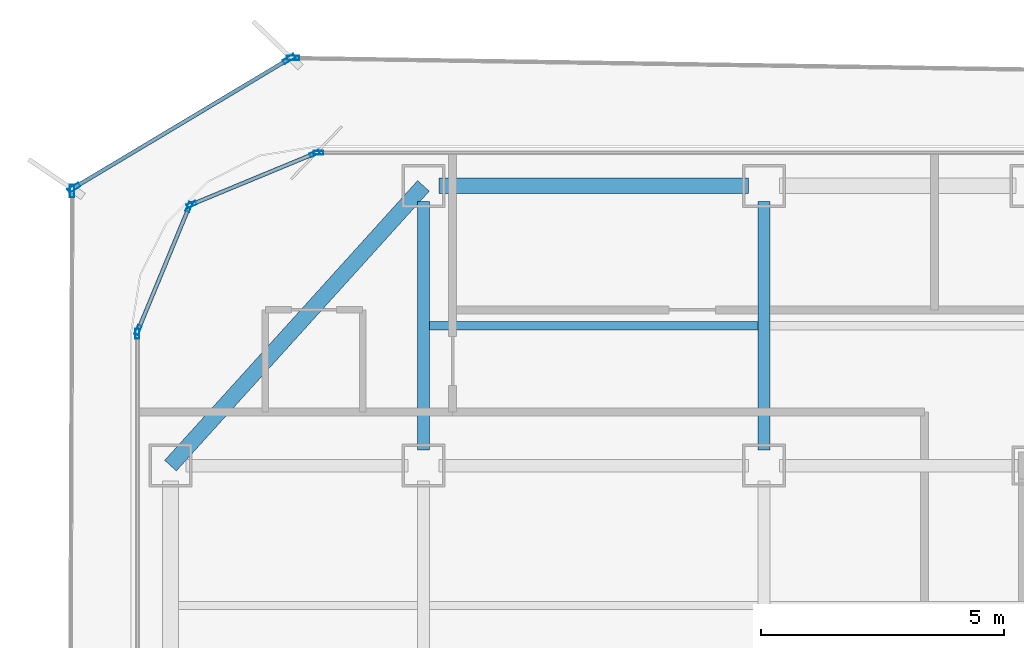
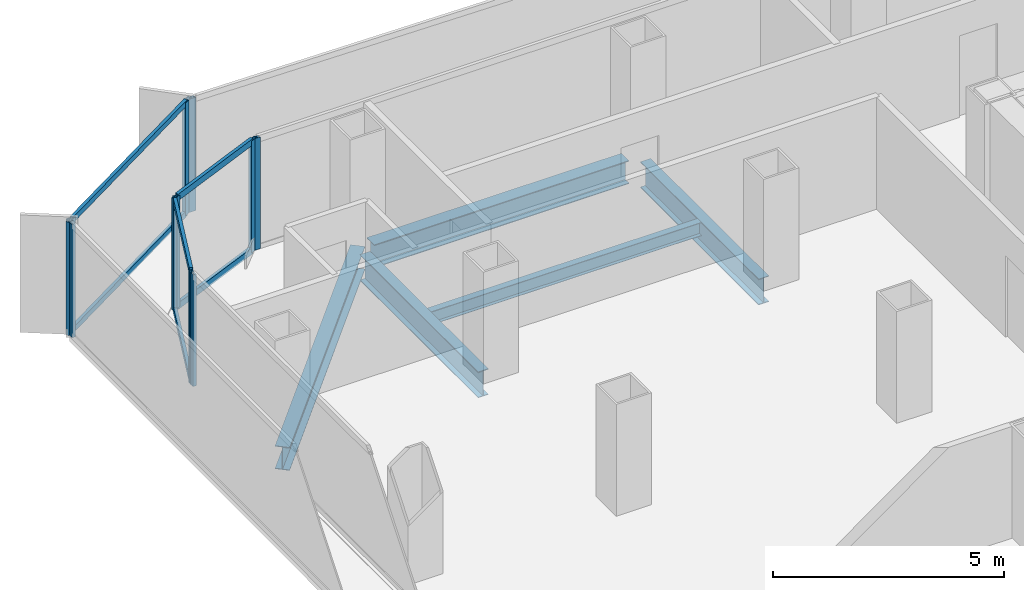
# One storey, part 10 of 21: 16 members, 5 beams, 7 elements without a shape of their own.
"""IFC4 building model written with IfcOpenShell, lengths in metres."""

from ifc_helpers import new_model, si_unit, direction, frame, origin, origin_2d, place, context, subcontext, project, spatial, hollow_rectangle, i_section, extrude, source, transform, mapped, material, layer, layer_set, material_profile, profile_set, type_object, element, aggregate, save


model = new_model("IFC4")

# Units and contexts
model_context = context("Model", 3, precision=1e-05, world=origin(), true_north=direction((0.0, 1.0)))
body_context = subcontext(model_context, "Body", "Model", "MODEL_VIEW")
ifc_project = project(units=[si_unit("LENGTHUNIT", "METRE"), si_unit("AREAUNIT", "SQUARE_METRE"), si_unit("VOLUMEUNIT", "CUBIC_METRE"), si_unit("PLANEANGLEUNIT", "RADIAN"), si_unit("MASSUNIT", "GRAM", prefix="KILO")], contexts=[model_context])

# Site, building, storey
site_placement = place(None, origin())
site = spatial("IfcSite", under=ifc_project, at=site_placement, CompositionType="ELEMENT")
building_placement = place(site_placement, origin())
building = spatial("IfcBuilding", under=site, at=building_placement, Name="Kolveth Station Tower", CompositionType="ELEMENT")
storey_placement = place(building_placement, frame((0.0, 0.0, 134.300048828125)))
storey = spatial("IfcBuildingStorey", under=building, at=storey_placement, Name="L37", CompositionType="ELEMENT", Elevation=134.300048828125)

# Beams
ifc_material_1 = material(Name="Steel S355", Category="steel")
ifc_material_profile_1 = material_profile(ifc_material_1, i_section(OverallWidth=0.323974609375, OverallDepth=0.611083984375, WebThickness=0.0126953125, FlangeThickness=0.01904296875, at=origin_2d()), Name="W610x155")
ifc_profile_set_1 = profile_set([ifc_material_profile_1], Name="Steel S355")
beam_type_1 = type_object("IfcBeamType", Name="Beam_SP2", PredefinedType="SPANDREL", material=ifc_profile_set_1)
shared_shape_1 = source(origin(), body_context, "Body", "SweptSolid", [
    extrude(i_section(OverallWidth=0.323974609375, OverallDepth=0.611083984375, WebThickness=0.0126953125, FlangeThickness=0.01904296875, at=origin_2d()), origin(), (0.0, 0.0, 1.0), 6.35986328125),
])
beam_1_placement = place(storey_placement, frame((6.320068359375, 34.5, -0.5556640625), z_axis=(1.0, 0.0, 0.0), x_axis=(0.0, 1.0, 0.0)))
element("IfcBeam", 1, at=beam_1_placement, inside=storey, type_object=beam_type_1, Name="L37 Perimeter Spandrel BM-L37-PN-1", PredefinedType="SPANDREL", context=body_context, shape_type="MappedRepresentation", body=[
    mapped(shared_shape_1, transform((0.0, 0.0, 0.0), x_axis=(1.0, 0.0, 0.0), y_axis=(0.0, 1.0, 0.0), z_axis=(0.0, 0.0, 1.0), scale=1.0)),
])
shared_shape_2 = source(origin(), body_context, "Body", "SweptSolid", [
    extrude(i_section(OverallWidth=0.323974609375, OverallDepth=0.611083984375, WebThickness=0.0126953125, FlangeThickness=0.01904296875, at=origin_2d()), origin(), (0.0, 0.0, 1.0), 7.75244140625),
])
beam_2_placement = place(storey_placement, frame((6.0, 34.5, -0.5556640625), z_axis=(-0.670740965555, -0.74169168603, 0.0), x_axis=(0.74169168603, -0.670740965555, 0.0)))
element("IfcBeam", 2, at=beam_2_placement, inside=storey, type_object=beam_type_1, Name="L37 Corner Edge Girder BM-L37-CNR-NW", PredefinedType="SPANDREL", context=body_context, shape_type="MappedRepresentation", body=[
    mapped(shared_shape_2, transform((0.0, 0.0, 0.0), x_axis=(1.0, 0.0, 0.0), y_axis=(0.0, 1.0, 0.0), z_axis=(0.0, 0.0, 1.0), scale=1.0)),
])
ifc_material_profile_2 = material_profile(ifc_material_1, i_section(OverallWidth=0.25390625, OverallDepth=0.68798828125, WebThickness=0.01318359375, FlangeThickness=0.02099609375, at=origin_2d()), Name="W690x152")
ifc_profile_set_2 = profile_set([ifc_material_profile_2], Name="Steel S355")
beam_type_2 = type_object("IfcBeamType", Name="Beam_B4", PredefinedType="BEAM", material=ifc_profile_set_2)
shared_shape_3 = source(origin(), body_context, "Body", "SweptSolid", [
    extrude(i_section(OverallWidth=0.25390625, OverallDepth=0.68798828125, WebThickness=0.01318359375, FlangeThickness=0.02099609375, at=origin_2d()), origin(), (0.0, 0.0, 1.0), 5.10986328125),
])
for number, where, z_axis, x_axis, name in (
    (3, (6.0, 29.070068359375, -0.593994140625), (0.0, 1.0, 0.0), (-1.0, 0.0, 0.0), "L37 Primary Girder BM-L37-GX60-6"),
    (4, (13.0, 29.070068359375, -0.593994140625), (0.0, 1.0, 0.0), (-1.0, 0.0, 0.0), "L37 Primary Girder BM-L37-GX130-6"),
):
    element("IfcBeam", number, at=place(storey_placement, frame(where, z_axis=z_axis, x_axis=x_axis)), inside=storey, type_object=beam_type_2, Name=name, PredefinedType="BEAM", context=body_context, shape_type="MappedRepresentation", body=[
        mapped(shared_shape_3, transform((0.0, 0.0, 0.0), x_axis=(1.0, 0.0, 0.0), y_axis=(0.0, 1.0, 0.0), z_axis=(0.0, 0.0, 1.0), scale=1.0)),
    ])
ifc_material_profile_3 = material_profile(ifc_material_1, i_section(OverallWidth=0.1708984375, OverallDepth=0.35205078125, WebThickness=0.0068359375, FlangeThickness=0.009765625, at=origin_2d()), Name="W360x44")
ifc_profile_set_3 = profile_set([ifc_material_profile_3], Name="Steel S355")
beam_type_3 = type_object("IfcBeamType", Name="Beam_J2", PredefinedType="JOIST", material=ifc_profile_set_3)
shared_shape_4 = source(origin(), body_context, "Body", "SweptSolid", [
    extrude(i_section(OverallWidth=0.1708984375, OverallDepth=0.35205078125, WebThickness=0.0068359375, FlangeThickness=0.009765625, at=origin_2d()), origin(), (0.0, 0.0, 1.0), 6.75),
])
beam_3_placement = place(storey_placement, frame((6.125, 31.625, -0.426025390625), z_axis=(1.0, 0.0, 0.0), x_axis=(0.0, 1.0, 0.0)))
element("IfcBeam", 5, at=beam_3_placement, inside=storey, type_object=beam_type_3, Name="L37 Secondary Joist JST-L37-2-6", PredefinedType="JOIST", context=body_context, shape_type="MappedRepresentation", body=[
    mapped(shared_shape_4, transform((0.0, 0.0, 0.0), x_axis=(1.0, 0.0, 0.0), y_axis=(0.0, 1.0, 0.0), z_axis=(0.0, 0.0, 1.0), scale=1.0)),
])

# Curtain wall, member
ifc_material_2 = material(Name="Aluminium 6063-T6 and low-E dark glass", Category="aluminium")
ifc_layer_1 = layer(ifc_material_2, 0.18994140625)
ifc_layer_set_1 = layer_set([ifc_layer_1], Name="Aluminium 6063-T6 and low-E dark glass")
curtain_wall_type_1 = type_object("IfcCurtainWallType", Name="CurtainWall_CW-Z2", PredefinedType="NOTDEFINED", material=ifc_layer_set_1)
curtain_wall_1_placement = place(storey_placement, origin())
curtain_wall_1 = element("IfcCurtainWall", 6, at=curtain_wall_1_placement, inside=storey, type_object=curtain_wall_type_1, Name="L37 Inner Thermal Curtain Wall 6", PredefinedType="NOTDEFINED")
ifc_material_3 = material(Name="Black anodized aluminium 6063-T6", Category="aluminium")
ifc_material_profile_4 = material_profile(ifc_material_3, hollow_rectangle(XDim=0.080078125, YDim=0.199951171875, WallThickness=0.0048828125, at=origin_2d()), Name="ALU-80x200x5")
ifc_profile_set_4 = profile_set([ifc_material_profile_4], Name="Black anodized aluminium 6063-T6")
member_type_1 = type_object("IfcMemberType", Name="Mullion_ML2", PredefinedType="MULLION", material=ifc_profile_set_4)
shared_shape_5 = source(origin(), body_context, "Body", "SweptSolid", [
    extrude(hollow_rectangle(XDim=0.080078125, YDim=0.199951171875, WallThickness=0.0048828125, at=origin_2d()), origin(), (0.0, 0.0, 1.0), 2.949951171875),
])
member_1_placement = place(storey_placement, frame((3.840087890625, 35.179931640625, 0.0), z_axis=(0.0, 0.0, 1.0), x_axis=(0.0, -1.0, 0.0)))
member_1 = element("IfcMember", 7, at=member_1_placement, type_object=member_type_1, Name="CW-Z2 mullion 3", PredefinedType="MULLION", context=body_context, shape_type="MappedRepresentation", body=[
    mapped(shared_shape_5, transform((0.0, 0.0, 0.0), x_axis=(1.0, 0.0, 0.0), y_axis=(0.0, 1.0, 0.0), z_axis=(0.0, 0.0, 1.0), scale=1.0)),
])
aggregate(curtain_wall_1, [member_1])

# Curtain wall, members
curtain_wall_2_placement = place(storey_placement, origin())
curtain_wall_2 = element("IfcCurtainWall", 8, at=curtain_wall_2_placement, inside=storey, type_object=curtain_wall_type_1, Name="L37 Inner Thermal Curtain Wall 7", PredefinedType="NOTDEFINED")
member_2_placement = place(storey_placement, frame((3.762939453125, 35.164794921875, 0.0), z_axis=(0.0, 0.0, 1.0), x_axis=(0.38266326998, -0.923887883787, 0.0)))
member_2 = element("IfcMember", 9, at=member_2_placement, type_object=member_type_1, Name="CW-Z2 mullion 1", PredefinedType="MULLION", context=body_context, shape_type="MappedRepresentation", body=[
    mapped(shared_shape_5, transform((0.0, 0.0, 0.0), x_axis=(1.0, 0.0, 0.0), y_axis=(0.0, 1.0, 0.0), z_axis=(0.0, 0.0, 1.0), scale=1.0)),
])
member_3_placement = place(storey_placement, frame((1.23486328125, 34.117431640625, 0.0), z_axis=(0.0, 0.0, 1.0), x_axis=(0.38266326998, -0.923887883787, 0.0)))
member_3 = element("IfcMember", 10, at=member_3_placement, type_object=member_type_1, Name="CW-Z2 mullion 2", PredefinedType="MULLION", context=body_context, shape_type="MappedRepresentation", body=[
    mapped(shared_shape_5, transform((0.0, 0.0, 0.0), x_axis=(1.0, 0.0, 0.0), y_axis=(0.0, 1.0, 0.0), z_axis=(0.0, 0.0, 1.0), scale=1.0)),
])

curtain_wall_3_placement = place(storey_placement, origin())
curtain_wall_3 = element("IfcCurtainWall", 11, at=curtain_wall_3_placement, inside=storey, type_object=curtain_wall_type_1, Name="L37 Inner Thermal Curtain Wall 8", PredefinedType="NOTDEFINED")
member_4_placement = place(storey_placement, frame((1.182373046875, 34.065185546875, 0.0), z_axis=(0.0, 0.0, 1.0), x_axis=(0.923887883787, -0.38266326998, 0.0)))
member_4 = element("IfcMember", 12, at=member_4_placement, type_object=member_type_1, Name="CW-Z2 mullion 1", PredefinedType="MULLION", context=body_context, shape_type="MappedRepresentation", body=[
    mapped(shared_shape_5, transform((0.0, 0.0, 0.0), x_axis=(1.0, 0.0, 0.0), y_axis=(0.0, 1.0, 0.0), z_axis=(0.0, 0.0, 1.0), scale=1.0)),
])
member_5_placement = place(storey_placement, frame((0.13525390625, 31.536865234375, 0.0), z_axis=(0.0, 0.0, 1.0), x_axis=(0.923887883787, -0.38266326998, 0.0)))
member_5 = element("IfcMember", 13, at=member_5_placement, type_object=member_type_1, Name="CW-Z2 mullion 2", PredefinedType="MULLION", context=body_context, shape_type="MappedRepresentation", body=[
    mapped(shared_shape_5, transform((0.0, 0.0, 0.0), x_axis=(1.0, 0.0, 0.0), y_axis=(0.0, 1.0, 0.0), z_axis=(0.0, 0.0, 1.0), scale=1.0)),
])

# Curtain wall, member
curtain_wall_4_placement = place(storey_placement, origin())
curtain_wall_4 = element("IfcCurtainWall", 14, at=curtain_wall_4_placement, inside=storey, type_object=curtain_wall_type_1, Name="L37 Inner Thermal Curtain Wall 9", PredefinedType="NOTDEFINED")
member_6_placement = place(storey_placement, frame((0.1201171875, 31.4599609375, 0.0), z_axis=(0.0, 0.0, 1.0), x_axis=(1.0, 0.0, 0.0)))
member_6 = element("IfcMember", 15, at=member_6_placement, type_object=member_type_1, Name="CW-Z2 mullion 1", PredefinedType="MULLION", context=body_context, shape_type="MappedRepresentation", body=[
    mapped(shared_shape_5, transform((0.0, 0.0, 0.0), x_axis=(1.0, 0.0, 0.0), y_axis=(0.0, 1.0, 0.0), z_axis=(0.0, 0.0, 1.0), scale=1.0)),
])
aggregate(curtain_wall_4, [member_6])

# Member
ifc_material_profile_5 = material_profile(ifc_material_3, hollow_rectangle(XDim=0.080078125, YDim=0.169921875, WallThickness=0.0048828125, at=origin_2d()), Name="ALU-80x170x5")
ifc_profile_set_5 = profile_set([ifc_material_profile_5], Name="Black anodized aluminium 6063-T6")
member_type_2 = type_object("IfcMemberType", Name="Transom_TR2", PredefinedType="USERDEFINED", material=ifc_profile_set_5)
shared_shape_6 = source(origin(), body_context, "Body", "SweptSolid", [
    extrude(hollow_rectangle(XDim=0.080078125, YDim=0.169921875, WallThickness=0.0048828125, at=origin_2d()), origin(), (0.0, 0.0, 1.0), 2.656494140625),
])
member_7_placement = place(storey_placement, frame((3.72607421875, 35.1494140625, 0.0400390625), z_axis=(-0.923882422403, -0.382676455475, 0.0), x_axis=(0.382676455475, -0.923882422403, 0.0)))
member_7 = element("IfcMember", 16, at=member_7_placement, type_object=member_type_2, Name="CW-Z2 transom 1.1", ObjectType="TRANSOM", PredefinedType="USERDEFINED", context=body_context, shape_type="MappedRepresentation", body=[
    mapped(shared_shape_6, transform((0.0, 0.0, 0.0), x_axis=(1.0, 0.0, 0.0), y_axis=(0.0, 1.0, 0.0), z_axis=(0.0, 0.0, 1.0), scale=1.0)),
])

member_8_placement = place(storey_placement, frame((3.72607421875, 35.1494140625, 2.909912109375), z_axis=(-0.923882422403, -0.382676455475, 0.0), x_axis=(0.382676455475, -0.923882422403, 0.0)))
member_8 = element("IfcMember", 17, at=member_8_placement, type_object=member_type_2, Name="CW-Z2 transom 1.2", ObjectType="TRANSOM", PredefinedType="USERDEFINED", context=body_context, shape_type="MappedRepresentation", body=[
    mapped(shared_shape_6, transform((0.0, 0.0, 0.0), x_axis=(1.0, 0.0, 0.0), y_axis=(0.0, 1.0, 0.0), z_axis=(0.0, 0.0, 1.0), scale=1.0)),
])

aggregate(curtain_wall_2, [member_2, member_3, member_7, member_8])

member_9_placement = place(storey_placement, frame((1.167236328125, 34.0283203125, 0.0400390625), z_axis=(-0.382676455475, -0.923882422403, 0.0), x_axis=(0.923882422403, -0.382676455475, 0.0)))
member_9 = element("IfcMember", 18, at=member_9_placement, type_object=member_type_2, Name="CW-Z2 transom 1.1", ObjectType="TRANSOM", PredefinedType="USERDEFINED", context=body_context, shape_type="MappedRepresentation", body=[
    mapped(shared_shape_6, transform((0.0, 0.0, 0.0), x_axis=(1.0, 0.0, 0.0), y_axis=(0.0, 1.0, 0.0), z_axis=(0.0, 0.0, 1.0), scale=1.0)),
])

member_10_placement = place(storey_placement, frame((1.167236328125, 34.0283203125, 2.909912109375), z_axis=(-0.382676455475, -0.923882422403, 0.0), x_axis=(0.923882422403, -0.382676455475, 0.0)))
member_10 = element("IfcMember", 19, at=member_10_placement, type_object=member_type_2, Name="CW-Z2 transom 1.2", ObjectType="TRANSOM", PredefinedType="USERDEFINED", context=body_context, shape_type="MappedRepresentation", body=[
    mapped(shared_shape_6, transform((0.0, 0.0, 0.0), x_axis=(1.0, 0.0, 0.0), y_axis=(0.0, 1.0, 0.0), z_axis=(0.0, 0.0, 1.0), scale=1.0)),
])

aggregate(curtain_wall_3, [member_4, member_5, member_9, member_10])

# Curtain wall, member
ifc_material_4 = material(Name="Black anodized aluminium 6063-T6 and dark solar glass", Category="aluminium")
ifc_layer_2 = layer(ifc_material_4, 0.159912109375)
ifc_layer_set_2 = layer_set([ifc_layer_2], Name="Black anodized aluminium 6063-T6 and dark solar glass")
curtain_wall_type_2 = type_object("IfcCurtainWallType", Name="OUTER SKIN CW-OS", PredefinedType="NOTDEFINED", material=ifc_layer_set_2)
curtain_wall_5_placement = place(storey_placement, origin())
curtain_wall_5 = element("IfcCurtainWall", 20, at=curtain_wall_5_placement, inside=storey, type_object=curtain_wall_type_2, Name="L37 Outer Ventilated Skin Curtain Wall 4", PredefinedType="NOTDEFINED")
ifc_material_profile_6 = material_profile(ifc_material_3, hollow_rectangle(XDim=0.090087890625, YDim=0.260009765625, WallThickness=0.0048828125, at=origin_2d()), Name="ALU-90x260x5")
ifc_profile_set_6 = profile_set([ifc_material_profile_6], Name="Black anodized aluminium 6063-T6")
member_type_3 = type_object("IfcMemberType", Name="FIN MULLION ML-OS", PredefinedType="MULLION", material=ifc_profile_set_6)
shared_shape_7 = source(origin(), body_context, "Body", "SweptSolid", [
    extrude(hollow_rectangle(XDim=0.090087890625, YDim=0.260009765625, WallThickness=0.0048828125, at=origin_2d()), origin(), (0.0, 0.0, 1.0), 2.989990234375),
])
member_11_placement = place(storey_placement, frame((3.32080078125, 37.13037109375, 0.0), z_axis=(0.0, 0.0, 1.0), x_axis=(-0.015513103427, -0.999879664571, 0.0)))
member_11 = element("IfcMember", 21, at=member_11_placement, type_object=member_type_3, Name="CW-OS mullion 2", PredefinedType="MULLION", context=body_context, shape_type="MappedRepresentation", body=[
    mapped(shared_shape_7, transform((0.0, 0.0, 0.0), x_axis=(1.0, 0.0, 0.0), y_axis=(0.0, 1.0, 0.0), z_axis=(0.0, 0.0, 1.0), scale=1.0)),
])
aggregate(curtain_wall_5, [member_11])

# Curtain wall, members
curtain_wall_6_placement = place(storey_placement, origin())
curtain_wall_6 = element("IfcCurtainWall", 22, at=curtain_wall_6_placement, inside=storey, type_object=curtain_wall_type_2, Name="L37 Outer Ventilated Skin Curtain Wall 5", PredefinedType="NOTDEFINED")
member_12_placement = place(storey_placement, frame((3.2373046875, 37.10791015625, 0.0), z_axis=(0.0, 0.0, 1.0), x_axis=(0.513597986922, -0.858030948061, 0.0)))
member_12 = element("IfcMember", 23, at=member_12_placement, type_object=member_type_3, Name="CW-OS mullion 1", PredefinedType="MULLION", context=body_context, shape_type="MappedRepresentation", body=[
    mapped(shared_shape_7, transform((0.0, 0.0, 0.0), x_axis=(1.0, 0.0, 0.0), y_axis=(0.0, 1.0, 0.0), z_axis=(0.0, 0.0, 1.0), scale=1.0)),
])
member_13_placement = place(storey_placement, frame((-1.1845703125, 34.461181640625, 0.0), z_axis=(0.0, 0.0, 1.0), x_axis=(0.513597986922, -0.858030948061, 0.0)))
member_13 = element("IfcMember", 24, at=member_13_placement, type_object=member_type_3, Name="CW-OS mullion 2", PredefinedType="MULLION", context=body_context, shape_type="MappedRepresentation", body=[
    mapped(shared_shape_7, transform((0.0, 0.0, 0.0), x_axis=(1.0, 0.0, 0.0), y_axis=(0.0, 1.0, 0.0), z_axis=(0.0, 0.0, 1.0), scale=1.0)),
])

# Curtain wall, member
curtain_wall_7_placement = place(storey_placement, origin())
curtain_wall_7 = element("IfcCurtainWall", 25, at=curtain_wall_7_placement, inside=storey, type_object=curtain_wall_type_2, Name="L37 Outer Ventilated Skin Curtain Wall 6", PredefinedType="NOTDEFINED")
member_14_placement = place(storey_placement, frame((-1.22314453125, 34.39306640625, 0.0), z_axis=(0.0, 0.0, 1.0), x_axis=(0.99999320844, -0.003685522263, 0.0)))
member_14 = element("IfcMember", 26, at=member_14_placement, type_object=member_type_3, Name="CW-OS mullion 1", PredefinedType="MULLION", context=body_context, shape_type="MappedRepresentation", body=[
    mapped(shared_shape_7, transform((0.0, 0.0, 0.0), x_axis=(1.0, 0.0, 0.0), y_axis=(0.0, 1.0, 0.0), z_axis=(0.0, 0.0, 1.0), scale=1.0)),
])
aggregate(curtain_wall_7, [member_14])

# Member
ifc_material_profile_7 = material_profile(ifc_material_3, hollow_rectangle(XDim=0.080078125, YDim=0.14990234375, WallThickness=0.0048828125, at=origin_2d()), Name="ALU-80x150x5")
ifc_profile_set_7 = profile_set([ifc_material_profile_7], Name="Black anodized aluminium 6063-T6")
member_type_4 = type_object("IfcMemberType", Name="Transom_TR-OS", PredefinedType="USERDEFINED", material=ifc_profile_set_7)
shared_shape_8 = source(origin(), body_context, "Body", "SweptSolid", [
    extrude(hollow_rectangle(XDim=0.080078125, YDim=0.14990234375, WallThickness=0.0048828125, at=origin_2d()), origin(), (0.0, 0.0, 1.0), 5.0634765625),
])
member_15_placement = place(storey_placement, frame((3.19873046875, 37.084716796875, 0.0400390625), z_axis=(-0.85803699311, -0.513587887762, 0.0), x_axis=(0.513587887762, -0.85803699311, 0.0)))
member_15 = element("IfcMember", 27, at=member_15_placement, type_object=member_type_4, Name="CW-OS transom 1.1", ObjectType="TRANSOM", PredefinedType="USERDEFINED", context=body_context, shape_type="MappedRepresentation", body=[
    mapped(shared_shape_8, transform((0.0, 0.0, 0.0), x_axis=(1.0, 0.0, 0.0), y_axis=(0.0, 1.0, 0.0), z_axis=(0.0, 0.0, 1.0), scale=1.0)),
])

member_16_placement = place(storey_placement, frame((3.19873046875, 37.084716796875, 2.949951171875), z_axis=(-0.85803699311, -0.513587887762, 0.0), x_axis=(0.513587887762, -0.85803699311, 0.0)))
member_16 = element("IfcMember", 28, at=member_16_placement, type_object=member_type_4, Name="CW-OS transom 1.2", ObjectType="TRANSOM", PredefinedType="USERDEFINED", context=body_context, shape_type="MappedRepresentation", body=[
    mapped(shared_shape_8, transform((0.0, 0.0, 0.0), x_axis=(1.0, 0.0, 0.0), y_axis=(0.0, 1.0, 0.0), z_axis=(0.0, 0.0, 1.0), scale=1.0)),
])

aggregate(curtain_wall_6, [member_12, member_13, member_15, member_16])

save(model, "model.ifc")
